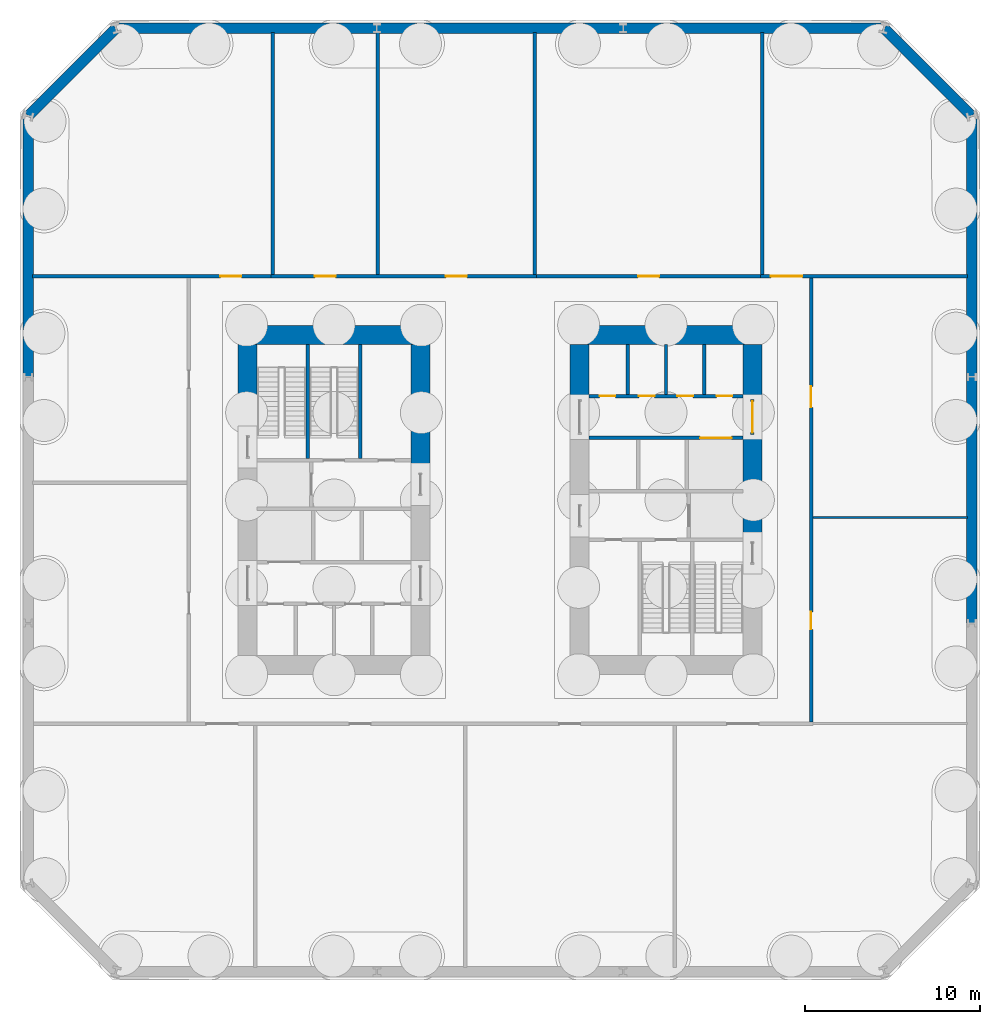
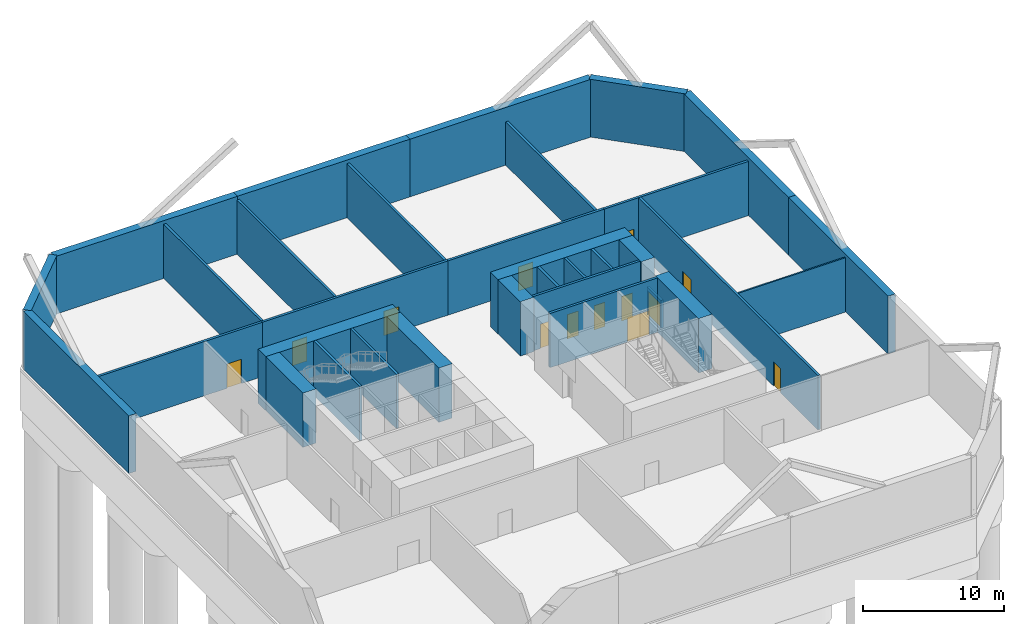
# One storey, part 5 of 7: 33 walls, 13 doors, 13 openings.
"""IFC4 building model written with IfcOpenShell, lengths in metres."""

from ifc_helpers import new_model, si_unit, direction, frame, frame_2d, origin, place, context, subcontext, project, spatial, rectangle, extrude, material, layer, layer_set, type_object, element, fill, save


model = new_model("IFC4")

# Units and contexts
model_context = context("Model", 3, precision=1e-05, world=origin(), true_north=direction((0.0, 1.0)))
body_context = subcontext(model_context, "Body", "Model", "MODEL_VIEW")
ifc_project = project(units=[si_unit("LENGTHUNIT", "METRE"), si_unit("AREAUNIT", "SQUARE_METRE"), si_unit("VOLUMEUNIT", "CUBIC_METRE"), si_unit("PLANEANGLEUNIT", "RADIAN"), si_unit("MASSUNIT", "GRAM", prefix="KILO")], contexts=[model_context])

# Site, building, storey
site_placement = place(None, origin())
site = spatial("IfcSite", under=ifc_project, at=site_placement, CompositionType="ELEMENT")
building_placement = place(site_placement, origin())
building = spatial("IfcBuilding", under=site, at=building_placement, Name="Millrace Tower", CompositionType="ELEMENT")
storey_placement = place(building_placement, frame((0.0, 0.0, -10.0)))
storey = spatial("IfcBuildingStorey", under=building, at=storey_placement, Name="B2", CompositionType="ELEMENT", Elevation=-10.0)

# Walls
ifc_material_1 = material(Name="Concrete C40", Category="concrete")
ifc_layer_1 = layer(ifc_material_1, 0.60009765625)
ifc_layer_set_1 = layer_set([ifc_layer_1], Name="Concrete C40")
wall_type_1 = type_object("IfcWallType", Name="Basement retaining wall 600 mm", PredefinedType="SOLIDWALL", material=ifc_layer_set_1)
wall_1_placement = place(storey_placement, frame((27.0, -7.050048828125, 0.0), z_axis=(0.0, 0.0, 1.0), x_axis=(0.0, 1.0, 0.0)))
element("IfcWall", 1, at=wall_1_placement, inside=storey, type_object=wall_type_1, Name="BW-A-B2-07", PredefinedType="SOLIDWALL", context=body_context, shape_type="SweptSolid", body=[
    extrude(rectangle(XDim=14.10009765625, YDim=0.60009765625, at=frame_2d((7.050048828125, 0.0))), origin(), (0.0, 0.0, 1.0), 5.0),
])
wall_2_placement = place(storey_placement, frame((27.0, 7.050048828125, 0.0), z_axis=(0.0, 0.0, 1.0), x_axis=(0.0, 1.0, 0.0)))
element("IfcWall", 2, at=wall_2_placement, inside=storey, type_object=wall_type_1, Name="BW-A-B2-08", PredefinedType="SOLIDWALL", context=body_context, shape_type="SweptSolid", body=[
    extrude(rectangle(XDim=14.928466796875, YDim=0.60009765625, at=frame_2d((7.46435546875, 0.0))), origin(), (0.0, 0.0, 1.0), 5.0),
])
wall_3_placement = place(storey_placement, frame((27.0, 21.978515625, 0.0), z_axis=(0.0, 0.0, 1.0), x_axis=(-0.707106781187, 0.707106781187, 0.0)))
element("IfcWall", 3, at=wall_3_placement, inside=storey, type_object=wall_type_1, Name="BW-A-B2-09", PredefinedType="SOLIDWALL", context=body_context, shape_type="SweptSolid", body=[
    extrude(rectangle(XDim=7.1015625, YDim=0.60009765625, at=frame_2d((3.55078125, 0.0))), origin(), (0.0, 0.0, 1.0), 5.0),
])
wall_4_placement = place(storey_placement, frame((21.978515625, 27.0, 0.0), z_axis=(0.0, 0.0, 1.0), x_axis=(-1.0, 0.0, 0.0)))
element("IfcWall", 4, at=wall_4_placement, inside=storey, type_object=wall_type_1, Name="BW-A-B2-10", PredefinedType="SOLIDWALL", context=body_context, shape_type="SweptSolid", body=[
    extrude(rectangle(XDim=14.928466796875, YDim=0.60009765625, at=frame_2d((7.46435546875, 0.0))), origin(), (0.0, 0.0, 1.0), 5.0),
])
wall_5_placement = place(storey_placement, frame((7.050048828125, 27.0, 0.0), z_axis=(0.0, 0.0, 1.0), x_axis=(-1.0, 0.0, 0.0)))
element("IfcWall", 5, at=wall_5_placement, inside=storey, type_object=wall_type_1, Name="BW-A-B2-11", PredefinedType="SOLIDWALL", context=body_context, shape_type="SweptSolid", body=[
    extrude(rectangle(XDim=14.10009765625, YDim=0.60009765625, at=frame_2d((7.050048828125, 0.0))), origin(), (0.0, 0.0, 1.0), 5.0),
])
wall_6_placement = place(storey_placement, frame((-7.050048828125, 27.0, 0.0), z_axis=(0.0, 0.0, 1.0), x_axis=(-1.0, 0.0, 0.0)))
element("IfcWall", 6, at=wall_6_placement, inside=storey, type_object=wall_type_1, Name="BW-A-B2-12", PredefinedType="SOLIDWALL", context=body_context, shape_type="SweptSolid", body=[
    extrude(rectangle(XDim=14.928466796875, YDim=0.60009765625, at=frame_2d((7.46435546875, 0.0))), origin(), (0.0, 0.0, 1.0), 5.0),
])
wall_7_placement = place(storey_placement, frame((-21.978515625, 27.0, 0.0), z_axis=(0.0, 0.0, 1.0), x_axis=(-0.707106781187, -0.707106781187, 0.0)))
element("IfcWall", 7, at=wall_7_placement, inside=storey, type_object=wall_type_1, Name="BW-A-B2-13", PredefinedType="SOLIDWALL", context=body_context, shape_type="SweptSolid", body=[
    extrude(rectangle(XDim=7.1015625, YDim=0.60009765625, at=frame_2d((3.55078125, 0.0))), origin(), (0.0, 0.0, 1.0), 5.0),
])
wall_8_placement = place(storey_placement, frame((-27.0, 21.978515625, 0.0), z_axis=(0.0, 0.0, 1.0), x_axis=(0.0, -1.0, 0.0)))
element("IfcWall", 8, at=wall_8_placement, inside=storey, type_object=wall_type_1, Name="BW-A-B2-14", PredefinedType="SOLIDWALL", context=body_context, shape_type="SweptSolid", body=[
    extrude(rectangle(XDim=14.928466796875, YDim=0.60009765625, at=frame_2d((7.46435546875, 0.0))), origin(), (0.0, 0.0, 1.0), 5.0),
])
ifc_material_2 = material(Name="Concrete C80", Category="concrete")
ifc_layer_2 = layer(ifc_material_2, 1.10009765625)
ifc_layer_set_2 = layer_set([ifc_layer_2], Name="Concrete C80")
wall_type_2 = type_object("IfcWallType", Name="Core wall 1100 Concrete C80", PredefinedType="SHEAR", material=ifc_layer_set_2)
wall_9_placement = place(storey_placement, frame((-15.0, 9.449951171875, 0.0), z_axis=(0.0, 0.0, 1.0), x_axis=(1.0, 0.0, 0.0)))
element("IfcWall", 9, at=wall_9_placement, inside=storey, type_object=wall_type_2, Name="Core wall W B2", PredefinedType="SHEAR", context=body_context, shape_type="SweptSolid", body=[
    extrude(rectangle(XDim=11.0, YDim=1.10009765625, at=frame_2d((5.5, 0.0))), origin(), (0.0, 0.0, 1.0), 4.699951171875),
])
wall_10_placement = place(storey_placement, frame((-14.449951171875, 3.679931640625, 0.0), z_axis=(0.0, 0.0, 1.0), x_axis=(0.0, 1.0, 0.0)))
element("IfcWall", 10, at=wall_10_placement, inside=storey, type_object=wall_type_2, Name="Core wall W B2", PredefinedType="SHEAR", context=body_context, shape_type="SweptSolid", body=[
    extrude(rectangle(XDim=5.219970703125, YDim=1.10009765625, at=frame_2d((2.60986328125, 0.0))), origin(), (0.0, 0.0, 1.0), 4.699951171875),
])
wall_11_placement = place(storey_placement, frame((-4.550048828125, 1.550048828125, 0.0), z_axis=(0.0, 0.0, 1.0), x_axis=(0.0, 1.0, 0.0)))
element("IfcWall", 11, at=wall_11_placement, inside=storey, type_object=wall_type_2, Name="Core wall W B2", PredefinedType="SHEAR", context=body_context, shape_type="SweptSolid", body=[
    extrude(rectangle(XDim=7.349853515625, YDim=1.10009765625, at=frame_2d((3.6748046875, 0.0))), origin(), (0.0, 0.0, 1.0), 4.699951171875),
])
wall_12_placement = place(storey_placement, frame((15.0, 9.449951171875, 0.0), z_axis=(0.0, 0.0, 1.0), x_axis=(-1.0, 0.0, 0.0)))
element("IfcWall", 12, at=wall_12_placement, inside=storey, type_object=wall_type_2, Name="Core wall E B2", PredefinedType="SHEAR", context=body_context, shape_type="SweptSolid", body=[
    extrude(rectangle(XDim=11.0, YDim=1.10009765625, at=frame_2d((5.5, 0.0))), origin(), (0.0, 0.0, 1.0), 4.699951171875),
])
wall_13_placement = place(storey_placement, frame((14.449951171875, 8.89990234375, 0.0), z_axis=(0.0, 0.0, 1.0), x_axis=(0.0, -1.0, 0.0)))
element("IfcWall", 13, at=wall_13_placement, inside=storey, type_object=wall_type_2, Name="Core wall E B2", PredefinedType="SHEAR", context=body_context, shape_type="SweptSolid", body=[
    extrude(rectangle(XDim=3.14990234375, YDim=1.10009765625, at=frame_2d((1.574951171875, 0.0))), origin(), (0.0, 0.0, 1.0), 4.699951171875),
])
wall_14_placement = place(storey_placement, frame((14.449951171875, 3.75, 0.0), z_axis=(0.0, 0.0, 1.0), x_axis=(0.0, -1.0, 0.0)))
element("IfcWall", 14, at=wall_14_placement, inside=storey, type_object=wall_type_2, Name="Core wall E B2", PredefinedType="SHEAR", context=body_context, shape_type="SweptSolid", body=[
    extrude(rectangle(XDim=6.1298828125, YDim=1.10009765625, at=frame_2d((3.06494140625, 0.0))), origin(), (0.0, 0.0, 1.0), 4.699951171875),
])
wall_15_placement = place(storey_placement, frame((4.550048828125, 8.89990234375, 0.0), z_axis=(0.0, 0.0, 1.0), x_axis=(0.0, -1.0, 0.0)))
element("IfcWall", 15, at=wall_15_placement, inside=storey, type_object=wall_type_2, Name="Core wall E B2", PredefinedType="SHEAR", context=body_context, shape_type="SweptSolid", body=[
    extrude(rectangle(XDim=3.14990234375, YDim=1.10009765625, at=frame_2d((1.574951171875, 0.0))), origin(), (0.0, 0.0, 1.0), 4.699951171875),
])

# Wall, openings, doors
ifc_material_3 = material(Name="Masonry partition, fire-rated", Category="masonry")
ifc_layer_3 = layer(ifc_material_3, 0.199951171875)
ifc_layer_set_3 = layer_set([ifc_layer_3], Name="Masonry partition, fire-rated")
wall_type_3 = type_object("IfcWallType", Name="Corridor wall 200", PredefinedType="PARTITIONING", material=ifc_layer_set_3)
wall_16_placement = place(storey_placement, frame((-13.10009765625, 12.800048828125, 0.0), z_axis=(0.0, 0.0, 1.0), x_axis=(1.0, 0.0, 0.0)))
wall_16 = element("IfcWall", 16, at=wall_16_placement, inside=storey, type_object=wall_type_3, Name="Corridor wall B2", PredefinedType="PARTITIONING", context=body_context, shape_type="SweptSolid", body=[
    extrude(rectangle(XDim=15.2001953125, YDim=0.199951171875, at=frame_2d((7.60009765625, 0.0))), origin(), (0.0, 0.0, 1.0), 4.699951171875),
])
opening_1_placement = place(wall_16_placement, frame((2.5, 0.0, 0.0)))
opening_1 = element("IfcOpeningElement", 17, at=opening_1_placement, cuts=wall_16, Name="Opening B2-P002", PredefinedType="OPENING", context=body_context, shape_type="SweptSolid", body=[
    extrude(rectangle(XDim=1.199951171875, YDim=2.10009765625, at=frame_2d((0.60009765625, 1.050048828125))), frame((0.0, 0.10986328125, 0.0), z_axis=(0.0, -1.0, 0.0), x_axis=(1.0, 0.0, 0.0)), (0.0, 0.0, 1.0), 0.219970703125),
])
opening_2_placement = place(wall_16_placement, frame((10.0, 0.0, 0.0)))
opening_2 = element("IfcOpeningElement", 18, at=opening_2_placement, cuts=wall_16, Name="Opening B2-P003", PredefinedType="OPENING", context=body_context, shape_type="SweptSolid", body=[
    extrude(rectangle(XDim=1.199951171875, YDim=2.10009765625, at=frame_2d((0.60009765625, 1.050048828125))), frame((0.0, 0.10986328125, 0.0), z_axis=(0.0, -1.0, 0.0), x_axis=(1.0, 0.0, 0.0)), (0.0, 0.0, 1.0), 0.219970703125),
])
ifc_material_4 = material(Name="Steel door set, fire-rated", Category="steel")
door_type_1 = type_object("IfcDoorType", Name="Plant room door 1200 x 2100", OperationType="SINGLE_SWING_LEFT", PredefinedType="DOOR", material=ifc_material_4)
door_1_placement = place(opening_1_placement, origin())
door_1 = element("IfcDoor", 19, at=door_1_placement, inside=storey, type_object=door_type_1, Name="Door B2-P002", OperationType="SINGLE_SWING_LEFT", OverallHeight=2.10009765625, OverallWidth=1.199951171875, PredefinedType="DOOR", context=body_context, shape_type="SweptSolid", body=[
    extrude(rectangle(XDim=1.199951171875, YDim=2.10009765625, at=frame_2d((0.60009765625, 1.050048828125))), frame((0.0, 0.02490234375, 0.0), z_axis=(0.0, -1.0, 0.0), x_axis=(1.0, 0.0, 0.0)), (0.0, 0.0, 1.0), 0.050048828125),
])
fill(opening_1, door_1)
door_2_placement = place(opening_2_placement, origin())
door_2 = element("IfcDoor", 20, at=door_2_placement, inside=storey, type_object=door_type_1, Name="Door B2-P003", OperationType="SINGLE_SWING_RIGHT", OverallHeight=2.10009765625, OverallWidth=1.199951171875, PredefinedType="DOOR", context=body_context, shape_type="SweptSolid", body=[
    extrude(rectangle(XDim=1.199951171875, YDim=2.10009765625, at=frame_2d((0.60009765625, 1.050048828125))), frame((0.0, 0.02490234375, 0.0), z_axis=(0.0, -1.0, 0.0), x_axis=(1.0, 0.0, 0.0)), (0.0, 0.0, 1.0), 0.050048828125),
])
fill(opening_2, door_2)

# Wall, opening, door
wall_17_placement = place(storey_placement, frame((14.89990234375, 12.800048828125, 0.0), z_axis=(0.0, 0.0, 1.0), x_axis=(1.0, 0.0, 0.0)))
wall_17 = element("IfcWall", 21, at=wall_17_placement, inside=storey, type_object=wall_type_3, Name="Corridor wall B2", PredefinedType="PARTITIONING", context=body_context, shape_type="SweptSolid", body=[
    extrude(rectangle(XDim=11.85009765625, YDim=0.199951171875, at=frame_2d((5.925048828125, 0.0))), origin(), (0.0, 0.0, 1.0), 4.699951171875),
])
opening_3_placement = place(wall_17_placement, frame((0.60498046875, 0.0, 0.0)))
opening_3 = element("IfcOpeningElement", 22, at=opening_3_placement, cuts=wall_17, Name="Opening B2-P005", PredefinedType="OPENING", context=body_context, shape_type="SweptSolid", body=[
    extrude(rectangle(XDim=1.800048828125, YDim=2.10009765625, at=frame_2d((0.89990234375, 1.050048828125))), frame((0.0, 0.10986328125, 0.0), z_axis=(0.0, -1.0, 0.0), x_axis=(1.0, 0.0, 0.0)), (0.0, 0.0, 1.0), 0.219970703125),
])
ifc_material_5 = material(Name="Steel door set, fire-rated", Category="steel")
door_type_2 = type_object("IfcDoorType", Name="Plant room door 1800 x 2100", OperationType="DOUBLE_DOOR_SINGLE_SWING", PredefinedType="DOOR", material=ifc_material_5)
door_3_placement = place(opening_3_placement, origin())
door_3 = element("IfcDoor", 23, at=door_3_placement, inside=storey, type_object=door_type_2, Name="Door B2-P005", OperationType="DOUBLE_DOOR_SINGLE_SWING", OverallHeight=2.10009765625, OverallWidth=1.800048828125, PredefinedType="DOOR", context=body_context, shape_type="SweptSolid", body=[
    extrude(rectangle(XDim=1.800048828125, YDim=2.10009765625, at=frame_2d((0.89990234375, 1.050048828125))), frame((0.0, 0.02490234375, 0.0), z_axis=(0.0, -1.0, 0.0), x_axis=(1.0, 0.0, 0.0)), (0.0, 0.0, 1.0), 0.050048828125),
])
fill(opening_3, door_3)

# Wall, openings, doors
wall_18_placement = place(storey_placement, frame((17.800048828125, -12.699951171875, 0.0), z_axis=(0.0, 0.0, 1.0), x_axis=(0.0, 1.0, 0.0)))
wall_18 = element("IfcWall", 24, at=wall_18_placement, inside=storey, type_object=wall_type_3, Name="Corridor wall B2", PredefinedType="PARTITIONING", context=body_context, shape_type="SweptSolid", body=[
    extrude(rectangle(XDim=25.39990234375, YDim=0.199951171875, at=frame_2d((12.699951171875, 0.0))), origin(), (0.0, 0.0, 1.0), 4.699951171875),
])
opening_4_placement = place(wall_18_placement, frame((5.300048828125, 0.0, 0.0)))
opening_4 = element("IfcOpeningElement", 25, at=opening_4_placement, cuts=wall_18, Name="Opening B2-P012", PredefinedType="OPENING", context=body_context, shape_type="SweptSolid", body=[
    extrude(rectangle(XDim=1.0, YDim=2.10009765625, at=frame_2d((0.5, 1.050048828125))), frame((0.0, 0.10986328125, 0.0), z_axis=(0.0, -1.0, 0.0), x_axis=(1.0, 0.0, 0.0)), (0.0, 0.0, 1.0), 0.219970703125),
])
opening_5_placement = place(wall_18_placement, frame((18.0, 0.0, 0.0)))
opening_5 = element("IfcOpeningElement", 26, at=opening_5_placement, cuts=wall_18, Name="Opening B2-P013", PredefinedType="OPENING", context=body_context, shape_type="SweptSolid", body=[
    extrude(rectangle(XDim=1.199951171875, YDim=2.10009765625, at=frame_2d((0.60009765625, 1.050048828125))), frame((0.0, 0.10986328125, 0.0), z_axis=(0.0, -1.0, 0.0), x_axis=(1.0, 0.0, 0.0)), (0.0, 0.0, 1.0), 0.219970703125),
])
ifc_material_6 = material(Name="Steel door set, fire-rated", Category="steel")
door_type_3 = type_object("IfcDoorType", Name="Corridor door 1000 x 2100", OperationType="SINGLE_SWING_LEFT", PredefinedType="DOOR", material=ifc_material_6)
door_4_placement = place(opening_4_placement, frame((1.0, 0.0, 0.0), z_axis=(0.0, 0.0, 1.0), x_axis=(-1.0, 0.0, 0.0)))
door_4 = element("IfcDoor", 27, at=door_4_placement, inside=storey, type_object=door_type_3, Name="Door B2-P012", OperationType="SINGLE_SWING_RIGHT", OverallHeight=2.10009765625, OverallWidth=1.0, PredefinedType="DOOR", context=body_context, shape_type="SweptSolid", body=[
    extrude(rectangle(XDim=1.0, YDim=2.10009765625, at=frame_2d((0.5, 1.050048828125))), frame((0.0, 0.02490234375, 0.0), z_axis=(0.0, -1.0, 0.0), x_axis=(1.0, 0.0, 0.0)), (0.0, 0.0, 1.0), 0.050048828125),
])
fill(opening_4, door_4)
ifc_material_7 = material(Name="Steel door set, fire-rated", Category="steel")
door_type_4 = type_object("IfcDoorType", Name="Corridor door 1200 x 2100", OperationType="SINGLE_SWING_LEFT", PredefinedType="DOOR", material=ifc_material_7)
door_5_placement = place(opening_5_placement, frame((1.199951171875, 0.0, 0.0), z_axis=(0.0, 0.0, 1.0), x_axis=(-1.0, 0.0, 0.0)))
door_5 = element("IfcDoor", 28, at=door_5_placement, inside=storey, type_object=door_type_4, Name="Door B2-P013", OperationType="SINGLE_SWING_LEFT", OverallHeight=2.10009765625, OverallWidth=1.199951171875, PredefinedType="DOOR", context=body_context, shape_type="SweptSolid", body=[
    extrude(rectangle(XDim=1.199951171875, YDim=2.10009765625, at=frame_2d((0.60009765625, 1.050048828125))), frame((0.0, 0.02490234375, 0.0), z_axis=(0.0, -1.0, 0.0), x_axis=(1.0, 0.0, 0.0)), (0.0, 0.0, 1.0), 0.050048828125),
])
fill(opening_5, door_5)

# Wall
wall_19_placement = place(storey_placement, frame((-7.0, 12.89990234375, 0.0), z_axis=(0.0, 0.0, 1.0), x_axis=(0.0, 1.0, 0.0)))
element("IfcWall", 29, at=wall_19_placement, inside=storey, type_object=wall_type_3, Name="Corridor wall B2", PredefinedType="PARTITIONING", context=body_context, shape_type="SweptSolid", body=[
    extrude(rectangle(XDim=13.85009765625, YDim=0.199951171875, at=frame_2d((6.925048828125, 0.0))), origin(), (0.0, 0.0, 1.0), 4.699951171875),
])

# Wall, opening, door
ifc_material_8 = material(Name="Masonry partition, fire-rated", Category="masonry")
ifc_layer_4 = layer(ifc_material_8, 0.199951171875)
ifc_layer_set_4 = layer_set([ifc_layer_4], Name="Masonry partition, fire-rated")
wall_type_4 = type_object("IfcWallType", Name="Fuel vault wall 200", PredefinedType="PARTITIONING", material=ifc_layer_set_4)
wall_20_placement = place(storey_placement, frame((-26.75, 12.800048828125, 0.0), z_axis=(0.0, 0.0, 1.0), x_axis=(1.0, 0.0, 0.0)))
wall_20 = element("IfcWall", 30, at=wall_20_placement, inside=storey, type_object=wall_type_4, Name="Fuel vault wall B2", PredefinedType="PARTITIONING", context=body_context, shape_type="SweptSolid", body=[
    extrude(rectangle(XDim=13.64990234375, YDim=0.199951171875, at=frame_2d((6.824951171875, 0.0))), origin(), (0.0, 0.0, 1.0), 4.699951171875),
])
opening_6_placement = place(wall_20_placement, frame((10.7451171875, 0.0, 0.0)))
opening_6 = element("IfcOpeningElement", 31, at=opening_6_placement, cuts=wall_20, Name="Opening B2-P001", PredefinedType="OPENING", context=body_context, shape_type="SweptSolid", body=[
    extrude(rectangle(XDim=1.199951171875, YDim=2.10009765625, at=frame_2d((0.60009765625, 1.050048828125))), frame((0.0, 0.10986328125, 0.0), z_axis=(0.0, -1.0, 0.0), x_axis=(1.0, 0.0, 0.0)), (0.0, 0.0, 1.0), 0.219970703125),
])
ifc_material_9 = material(Name="Steel door set, fire-rated", Category="steel")
door_type_5 = type_object("IfcDoorType", Name="Fuel vault door 1200 x 2100", OperationType="SINGLE_SWING_LEFT", PredefinedType="DOOR", material=ifc_material_9)
door_6_placement = place(opening_6_placement, origin())
door_6 = element("IfcDoor", 32, at=door_6_placement, inside=storey, type_object=door_type_5, Name="Door B2-P001", OperationType="SINGLE_SWING_RIGHT", OverallHeight=2.10009765625, OverallWidth=1.199951171875, PredefinedType="DOOR", context=body_context, shape_type="SweptSolid", body=[
    extrude(rectangle(XDim=1.199951171875, YDim=2.10009765625, at=frame_2d((0.60009765625, 1.050048828125))), frame((0.0, 0.02490234375, 0.0), z_axis=(0.0, -1.0, 0.0), x_axis=(1.0, 0.0, 0.0)), (0.0, 0.0, 1.0), 0.050048828125),
])
fill(opening_6, door_6)

wall_21_placement = place(storey_placement, frame((2.10009765625, 12.800048828125, 0.0), z_axis=(0.0, 0.0, 1.0), x_axis=(1.0, 0.0, 0.0)))
wall_21 = element("IfcWall", 33, at=wall_21_placement, inside=storey, type_object=wall_type_4, Name="Fuel vault wall B2", PredefinedType="PARTITIONING", context=body_context, shape_type="SweptSolid", body=[
    extrude(rectangle(XDim=12.7998046875, YDim=0.199951171875, at=frame_2d((6.39990234375, 0.0))), origin(), (0.0, 0.0, 1.0), 4.699951171875),
])
opening_7_placement = place(wall_21_placement, frame((5.800048828125, 0.0, 0.0)))
opening_7 = element("IfcOpeningElement", 34, at=opening_7_placement, cuts=wall_21, Name="Opening B2-P004", PredefinedType="OPENING", context=body_context, shape_type="SweptSolid", body=[
    extrude(rectangle(XDim=1.199951171875, YDim=2.10009765625, at=frame_2d((0.60009765625, 1.050048828125))), frame((0.0, 0.10986328125, 0.0), z_axis=(0.0, -1.0, 0.0), x_axis=(1.0, 0.0, 0.0)), (0.0, 0.0, 1.0), 0.219970703125),
])
door_7_placement = place(opening_7_placement, origin())
door_7 = element("IfcDoor", 35, at=door_7_placement, inside=storey, type_object=door_type_5, Name="Door B2-P004", OperationType="SINGLE_SWING_LEFT", OverallHeight=2.10009765625, OverallWidth=1.199951171875, PredefinedType="DOOR", context=body_context, shape_type="SweptSolid", body=[
    extrude(rectangle(XDim=1.199951171875, YDim=2.10009765625, at=frame_2d((0.60009765625, 1.050048828125))), frame((0.0, 0.02490234375, 0.0), z_axis=(0.0, -1.0, 0.0), x_axis=(1.0, 0.0, 0.0)), (0.0, 0.0, 1.0), 0.050048828125),
])
fill(opening_7, door_7)

# Walls
wall_22_placement = place(storey_placement, frame((15.0, 12.89990234375, 0.0), z_axis=(0.0, 0.0, 1.0), x_axis=(0.0, 1.0, 0.0)))
element("IfcWall", 36, at=wall_22_placement, inside=storey, type_object=wall_type_4, Name="Fuel vault wall B2", PredefinedType="PARTITIONING", context=body_context, shape_type="SweptSolid", body=[
    extrude(rectangle(XDim=13.85009765625, YDim=0.199951171875, at=frame_2d((6.925048828125, 0.0))), origin(), (0.0, 0.0, 1.0), 3.752685546875),
])
for number, where, z_axis, x_axis, name in (
    (37, (2.0, 12.89990234375, 0.0), (0.0, 0.0, 1.0), (0.0, 1.0, 0.0), "Fuel vault wall B2"),
    (38, (-13.0, 12.89990234375, 0.0), (0.0, 0.0, 1.0), (0.0, 1.0, 0.0), "Fuel vault wall B2"),
):
    element("IfcWall", number, at=place(storey_placement, frame(where, z_axis=z_axis, x_axis=x_axis)), inside=storey, type_object=wall_type_4, Name=name, PredefinedType="PARTITIONING", context=body_context, shape_type="SweptSolid", body=[
        extrude(rectangle(XDim=13.85009765625, YDim=0.199951171875, at=frame_2d((6.925048828125, 0.0))), origin(), (0.0, 0.0, 1.0), 4.699951171875),
    ])

# Wall, openings, doors
ifc_material_10 = material(Name="Masonry partition, fire-rated", Category="masonry")
ifc_layer_5 = layer(ifc_material_10, 0.199951171875)
ifc_layer_set_5 = layer_set([ifc_layer_5], Name="Masonry partition, fire-rated")
wall_type_5 = type_object("IfcWallType", Name="Lift shaft wall 200", PredefinedType="PARTITIONING", material=ifc_layer_set_5)
wall_23_placement = place(storey_placement, frame((13.89990234375, 5.949951171875, 0.0), z_axis=(0.0, 0.0, 1.0), x_axis=(-1.0, 0.0, 0.0)))
wall_23 = element("IfcWall", 39, at=wall_23_placement, inside=storey, type_object=wall_type_5, Name="Lift shaft wall E B2", PredefinedType="PARTITIONING", context=body_context, shape_type="SweptSolid", body=[
    extrude(rectangle(XDim=8.7998046875, YDim=0.199951171875, at=frame_2d((4.39990234375, 0.0))), origin(), (0.0, 0.0, 1.0), 4.699951171875),
])
opening_8_placement = place(wall_23_placement, frame((0.60009765625, 0.0, 0.0)))
opening_8 = element("IfcOpeningElement", 40, at=opening_8_placement, cuts=wall_23, Name="Opening B2-C015", PredefinedType="OPENING", context=body_context, shape_type="SweptSolid", body=[
    extrude(rectangle(XDim=0.89990234375, YDim=2.10009765625, at=frame_2d((0.449951171875, 1.050048828125))), frame((0.0, 0.10986328125, 0.0), z_axis=(0.0, -1.0, 0.0), x_axis=(1.0, 0.0, 0.0)), (0.0, 0.0, 1.0), 0.219970703125),
])
opening_9_placement = place(wall_23_placement, frame((2.85009765625, 0.0, 0.0)))
opening_9 = element("IfcOpeningElement", 41, at=opening_9_placement, cuts=wall_23, Name="Opening B2-C016", PredefinedType="OPENING", context=body_context, shape_type="SweptSolid", body=[
    extrude(rectangle(XDim=0.89990234375, YDim=2.10009765625, at=frame_2d((0.449951171875, 1.050048828125))), frame((0.0, 0.10986328125, 0.0), z_axis=(0.0, -1.0, 0.0), x_axis=(1.0, 0.0, 0.0)), (0.0, 0.0, 1.0), 0.219970703125),
])
opening_10_placement = place(wall_23_placement, frame((5.050048828125, 0.0, 0.0)))
opening_10 = element("IfcOpeningElement", 42, at=opening_10_placement, cuts=wall_23, Name="Opening B2-C017", PredefinedType="OPENING", context=body_context, shape_type="SweptSolid", body=[
    extrude(rectangle(XDim=0.89990234375, YDim=2.10009765625, at=frame_2d((0.449951171875, 1.050048828125))), frame((0.0, 0.10986328125, 0.0), z_axis=(0.0, -1.0, 0.0), x_axis=(1.0, 0.0, 0.0)), (0.0, 0.0, 1.0), 0.219970703125),
])
opening_11_placement = place(wall_23_placement, frame((7.300048828125, 0.0, 0.0)))
opening_11 = element("IfcOpeningElement", 43, at=opening_11_placement, cuts=wall_23, Name="Opening B2-C018", PredefinedType="OPENING", context=body_context, shape_type="SweptSolid", body=[
    extrude(rectangle(XDim=0.89990234375, YDim=2.10009765625, at=frame_2d((0.449951171875, 1.050048828125))), frame((0.0, 0.10986328125, 0.0), z_axis=(0.0, -1.0, 0.0), x_axis=(1.0, 0.0, 0.0)), (0.0, 0.0, 1.0), 0.219970703125),
])
ifc_material_11 = material(Name="Steel door, fire-rated", Category="steel")
door_type_6 = type_object("IfcDoorType", Name="Service room door 900 x 2100", OperationType="SINGLE_SWING_LEFT", PredefinedType="DOOR", material=ifc_material_11)
door_8_placement = place(opening_8_placement, frame((0.89990234375, 0.0, 0.0), z_axis=(0.0, 0.0, 1.0), x_axis=(-1.0, 0.0, 0.0)))
door_8 = element("IfcDoor", 44, at=door_8_placement, inside=storey, type_object=door_type_6, Name="Service room door B2-C015", OperationType="SINGLE_SWING_RIGHT", OverallHeight=2.10009765625, OverallWidth=0.89990234375, PredefinedType="DOOR", context=body_context, shape_type="SweptSolid", body=[
    extrude(rectangle(XDim=0.89990234375, YDim=2.10009765625, at=frame_2d((0.449951171875, 1.050048828125))), frame((0.0, 0.02490234375, 0.0), z_axis=(0.0, -1.0, 0.0), x_axis=(1.0, 0.0, 0.0)), (0.0, 0.0, 1.0), 0.050048828125),
])
fill(opening_8, door_8)
door_9_placement = place(opening_9_placement, frame((0.89990234375, 0.0, 0.0), z_axis=(0.0, 0.0, 1.0), x_axis=(-1.0, 0.0, 0.0)))
door_9 = element("IfcDoor", 45, at=door_9_placement, inside=storey, type_object=door_type_6, Name="Service room door B2-C016", OperationType="SINGLE_SWING_RIGHT", OverallHeight=2.10009765625, OverallWidth=0.89990234375, PredefinedType="DOOR", context=body_context, shape_type="SweptSolid", body=[
    extrude(rectangle(XDim=0.89990234375, YDim=2.10009765625, at=frame_2d((0.449951171875, 1.050048828125))), frame((0.0, 0.02490234375, 0.0), z_axis=(0.0, -1.0, 0.0), x_axis=(1.0, 0.0, 0.0)), (0.0, 0.0, 1.0), 0.050048828125),
])
fill(opening_9, door_9)
door_10_placement = place(opening_10_placement, frame((0.89990234375, 0.0, 0.0), z_axis=(0.0, 0.0, 1.0), x_axis=(-1.0, 0.0, 0.0)))
door_10 = element("IfcDoor", 46, at=door_10_placement, inside=storey, type_object=door_type_6, Name="Service room door B2-C017", OperationType="SINGLE_SWING_LEFT", OverallHeight=2.10009765625, OverallWidth=0.89990234375, PredefinedType="DOOR", context=body_context, shape_type="SweptSolid", body=[
    extrude(rectangle(XDim=0.89990234375, YDim=2.10009765625, at=frame_2d((0.449951171875, 1.050048828125))), frame((0.0, 0.02490234375, 0.0), z_axis=(0.0, -1.0, 0.0), x_axis=(1.0, 0.0, 0.0)), (0.0, 0.0, 1.0), 0.050048828125),
])
fill(opening_10, door_10)
door_11_placement = place(opening_11_placement, frame((0.89990234375, 0.0, 0.0), z_axis=(0.0, 0.0, 1.0), x_axis=(-1.0, 0.0, 0.0)))
door_11 = element("IfcDoor", 47, at=door_11_placement, inside=storey, type_object=door_type_6, Name="Service room door B2-C018", OperationType="SINGLE_SWING_LEFT", OverallHeight=2.10009765625, OverallWidth=0.89990234375, PredefinedType="DOOR", context=body_context, shape_type="SweptSolid", body=[
    extrude(rectangle(XDim=0.89990234375, YDim=2.10009765625, at=frame_2d((0.449951171875, 1.050048828125))), frame((0.0, 0.02490234375, 0.0), z_axis=(0.0, -1.0, 0.0), x_axis=(1.0, 0.0, 0.0)), (0.0, 0.0, 1.0), 0.050048828125),
])
fill(opening_11, door_11)

# Wall, opening, door
wall_24_placement = place(storey_placement, frame((13.89990234375, 3.550048828125, 0.0), z_axis=(0.0, 0.0, 1.0), x_axis=(-1.0, 0.0, 0.0)))
wall_24 = element("IfcWall", 48, at=wall_24_placement, inside=storey, type_object=wall_type_5, Name="Lift shaft wall E B2", PredefinedType="PARTITIONING", context=body_context, shape_type="SweptSolid", body=[
    extrude(rectangle(XDim=8.7998046875, YDim=0.199951171875, at=frame_2d((4.39990234375, 0.0))), origin(), (0.0, 0.0, 1.0), 4.699951171875),
])
opening_12_placement = place(wall_24_placement, frame((0.64990234375, 0.0, 0.0)))
opening_12 = element("IfcOpeningElement", 49, at=opening_12_placement, cuts=wall_24, Name="Opening B2-LD13", PredefinedType="OPENING", context=body_context, shape_type="SweptSolid", body=[
    extrude(rectangle(XDim=1.800048828125, YDim=2.10009765625, at=frame_2d((0.89990234375, 1.050048828125))), frame((0.0, 0.10986328125, 0.0), z_axis=(0.0, -1.0, 0.0), x_axis=(1.0, 0.0, 0.0)), (0.0, 0.0, 1.0), 0.219970703125),
])
ifc_material_12 = material(Name="Stainless steel, fire-rated", Category="steel")
door_type_7 = type_object("IfcDoorType", Name="Lift landing door 1800 x 2100", OperationType="DOUBLE_DOOR_SLIDING", PredefinedType="DOOR", material=ifc_material_12)
door_12_placement = place(opening_12_placement, origin())
door_12 = element("IfcDoor", 50, at=door_12_placement, inside=storey, type_object=door_type_7, Name="Lift landing door LF13 B2", OperationType="DOUBLE_DOOR_SLIDING", OverallHeight=2.10009765625, OverallWidth=1.800048828125, PredefinedType="DOOR", context=body_context, shape_type="SweptSolid", body=[
    extrude(rectangle(XDim=1.800048828125, YDim=2.10009765625, at=frame_2d((0.89990234375, 1.050048828125))), frame((0.0, 0.02490234375, 0.0), z_axis=(0.0, -1.0, 0.0), x_axis=(1.0, 0.0, 0.0)), (0.0, 0.0, 1.0), 0.050048828125),
])
fill(opening_12, door_12)

ifc_material_13 = material(Name="Masonry partition, fire-rated", Category="masonry")
ifc_layer_6 = layer(ifc_material_13, 0.199951171875)
ifc_layer_set_6 = layer_set([ifc_layer_6], Name="Masonry partition, fire-rated")
wall_type_6 = type_object("IfcWallType", Name="Lobby wall 200", PredefinedType="PARTITIONING", material=ifc_layer_set_6)
wall_25_placement = place(storey_placement, frame((14.449951171875, 5.75, 0.0), z_axis=(0.0, 0.0, 1.0), x_axis=(0.0, -1.0, 0.0)))
wall_25 = element("IfcWall", 51, at=wall_25_placement, inside=storey, type_object=wall_type_6, Name="Lobby wall E B2", PredefinedType="PARTITIONING", context=body_context, shape_type="SweptSolid", body=[
    extrude(rectangle(XDim=2.0, YDim=0.199951171875, at=frame_2d((1.0, 0.0))), origin(), (0.0, 0.0, 1.0), 2.39990234375),
])
opening_13_placement = place(wall_25_placement, frame((0.10009765625, 0.0, 0.0)))
opening_13 = element("IfcOpeningElement", 52, at=opening_13_placement, cuts=wall_25, Name="Opening B2-C011", PredefinedType="OPENING", context=body_context, shape_type="SweptSolid", body=[
    extrude(rectangle(XDim=1.800048828125, YDim=2.10009765625, at=frame_2d((0.89990234375, 1.050048828125))), frame((0.0, 0.10986328125, 0.0), z_axis=(0.0, -1.0, 0.0), x_axis=(1.0, 0.0, 0.0)), (0.0, 0.0, 1.0), 0.219970703125),
])
ifc_material_14 = material(Name="Steel door, fire-rated", Category="steel")
door_type_8 = type_object("IfcDoorType", Name="Lobby door 1800 x 2100", OperationType="DOUBLE_DOOR_SINGLE_SWING", PredefinedType="DOOR", material=ifc_material_14)
door_13_placement = place(opening_13_placement, origin())
door_13 = element("IfcDoor", 53, at=door_13_placement, inside=storey, type_object=door_type_8, Name="Lobby door B2-C011", OperationType="DOUBLE_DOOR_SINGLE_SWING", OverallHeight=2.10009765625, OverallWidth=1.800048828125, PredefinedType="DOOR", context=body_context, shape_type="SweptSolid", body=[
    extrude(rectangle(XDim=1.800048828125, YDim=2.10009765625, at=frame_2d((0.89990234375, 1.050048828125))), frame((0.0, 0.02490234375, 0.0), z_axis=(0.0, -1.0, 0.0), x_axis=(1.0, 0.0, 0.0)), (0.0, 0.0, 1.0), 0.050048828125),
])
fill(opening_13, door_13)

# Walls
ifc_material_15 = material(Name="Gypsum board partition")
ifc_layer_7 = layer(ifc_material_15, 0.1201171875)
ifc_layer_set_7 = layer_set([ifc_layer_7], Name="Gypsum board partition")
wall_type_7 = type_object("IfcWallType", Name="Partition wall 120", PredefinedType="PARTITIONING", material=ifc_layer_set_7)
wall_26_placement = place(storey_placement, frame((17.89990234375, -1.0, 0.0), z_axis=(0.0, 0.0, 1.0), x_axis=(1.0, 0.0, 0.0)))
element("IfcWall", 54, at=wall_26_placement, inside=storey, type_object=wall_type_7, Name="Partition wall B2", PredefinedType="PARTITIONING", context=body_context, shape_type="SweptSolid", body=[
    extrude(rectangle(XDim=8.85009765625, YDim=0.1201171875, at=frame_2d((4.425048828125, 0.0))), origin(), (0.0, 0.0, 1.0), 4.699951171875),
])
ifc_material_16 = material(Name="Masonry partition, fire-rated", Category="masonry")
ifc_layer_8 = layer(ifc_material_16, 0.199951171875)
ifc_layer_set_8 = layer_set([ifc_layer_8], Name="Masonry partition, fire-rated")
wall_type_8 = type_object("IfcWallType", Name="Room partition 200", PredefinedType="PARTITIONING", material=ifc_layer_set_8)
for number, where, z_axis, x_axis, name in (
    (55, (11.699951171875, 8.89990234375, 0.0), (0.0, 0.0, 1.0), (0.0, -1.0, 0.0), "Room partition E B2"),
    (56, (9.5, 8.89990234375, 0.0), (0.0, 0.0, 1.0), (0.0, -1.0, 0.0), "Room partition E B2"),
    (57, (7.300048828125, 8.89990234375, 0.0), (0.0, 0.0, 1.0), (0.0, -1.0, 0.0), "Room partition E B2"),
):
    element("IfcWall", number, at=place(storey_placement, frame(where, z_axis=z_axis, x_axis=x_axis)), inside=storey, type_object=wall_type_8, Name=name, PredefinedType="PARTITIONING", context=body_context, shape_type="SweptSolid", body=[
        extrude(rectangle(XDim=2.849853515625, YDim=0.199951171875, at=frame_2d((1.4248046875, 0.0))), origin(), (0.0, 0.0, 1.0), 4.699951171875),
    ])
ifc_material_17 = material(Name="Concrete C40", Category="concrete")
ifc_layer_9 = layer(ifc_material_17, 0.199951171875)
ifc_layer_set_9 = layer_set([ifc_layer_9], Name="Concrete C40")
wall_type_9 = type_object("IfcWallType", Name="Stair enclosure wall 200 Concrete C40", PredefinedType="SHEAR", material=ifc_layer_set_9)
for number, where, z_axis, x_axis, name in (
    (58, (-11.0, 2.3798828125, 0.0), (0.0, 0.0, 1.0), (0.0, 1.0, 0.0), "Stair enclosure wall W B2"),
    (59, (-8.0, 2.3798828125, 0.0), (0.0, 0.0, 1.0), (0.0, 1.0, 0.0), "Stair enclosure wall W B2"),
):
    element("IfcWall", number, at=place(storey_placement, frame(where, z_axis=z_axis, x_axis=x_axis)), inside=storey, type_object=wall_type_9, Name=name, PredefinedType="SHEAR", context=body_context, shape_type="SweptSolid", body=[
        extrude(rectangle(XDim=6.52001953125, YDim=0.199951171875, at=frame_2d((3.260009765625, 0.0))), origin(), (0.0, 0.0, 1.0), 4.699951171875),
    ])

save(model, "model.ifc")
